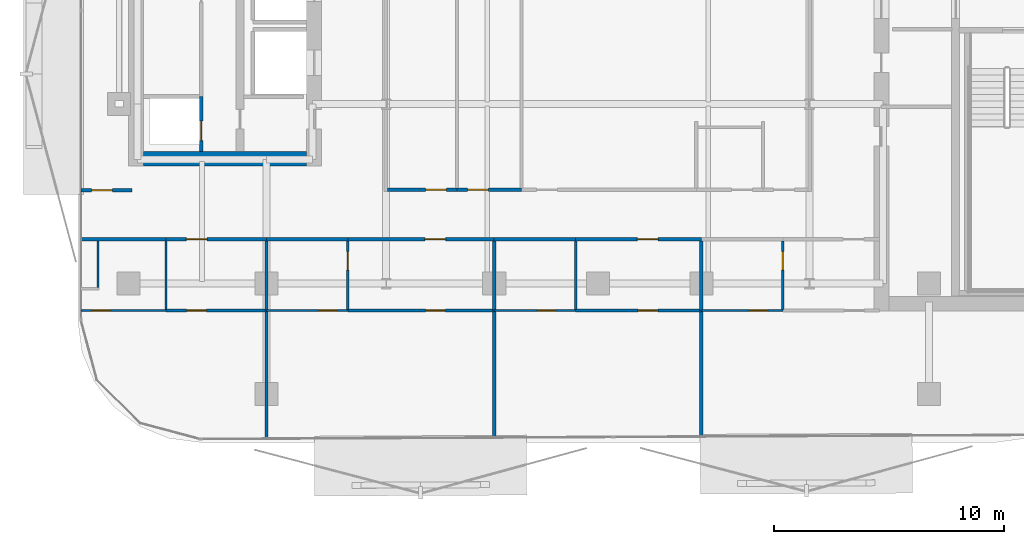
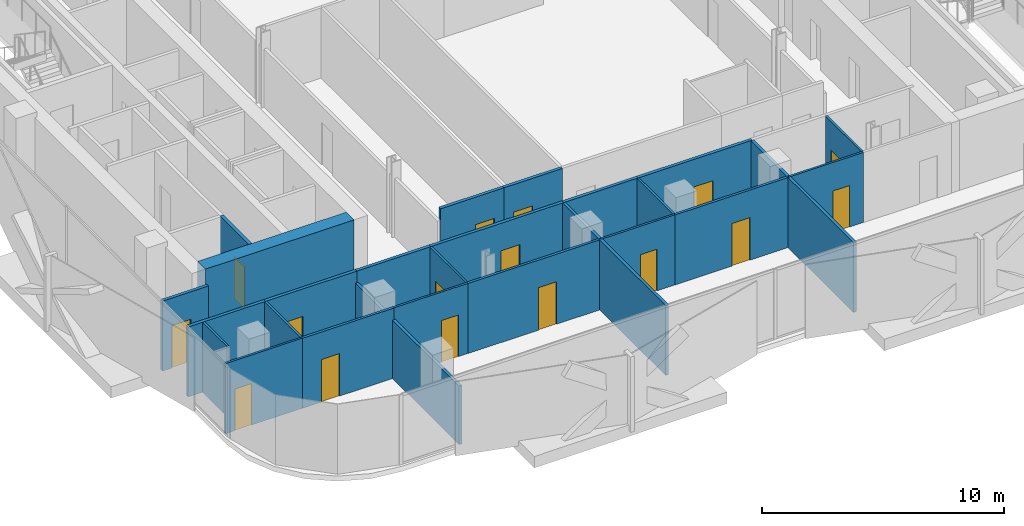
# One storey, part 3 of 17: 29 walls, 16 doors, 16 openings.
"""IFC4 building model written with IfcOpenShell, lengths in metres."""

from ifc_helpers import new_model, si_unit, direction, frame, frame_2d, origin, place, context, subcontext, project, spatial, rectangle, extrude, material, layer, layer_set, type_object, element, fill, save


model = new_model("IFC4")

# Units and contexts
model_context = context("Model", 3, precision=1e-05, world=origin(), true_north=direction((0.0, 1.0)))
body_context = subcontext(model_context, "Body", "Model", "MODEL_VIEW")
ifc_project = project(units=[si_unit("LENGTHUNIT", "METRE"), si_unit("AREAUNIT", "SQUARE_METRE"), si_unit("VOLUMEUNIT", "CUBIC_METRE"), si_unit("PLANEANGLEUNIT", "RADIAN"), si_unit("MASSUNIT", "GRAM", prefix="KILO")], contexts=[model_context])

# Site, building, storey
site_placement = place(None, origin())
site = spatial("IfcSite", under=ifc_project, at=site_placement, CompositionType="ELEMENT")
building_placement = place(site_placement, origin())
building = spatial("IfcBuilding", under=site, at=building_placement, Name="Khairoan Windgate Tower", CompositionType="ELEMENT")
storey_placement = place(building_placement, frame((0.0, 0.0, 176.39990234375)))
storey = spatial("IfcBuildingStorey", under=building, at=storey_placement, Name="L40", CompositionType="ELEMENT", Elevation=176.39990234375)

# Wall
ifc_material_1 = material(Name="Moisture-Resistant Gypsum Partition", Category="gypsum")
ifc_layer_1 = layer(ifc_material_1, 0.10009765625, Name="Moisture-Resistant Gypsum Partition")
ifc_layer_set_1 = layer_set([ifc_layer_1], Name="Moisture-Resistant Gypsum Partition")
wall_type_1 = type_object("IfcWallType", Name="Bathroom Wet-Area Partition Wall", PredefinedType="PARTITIONING", material=ifc_layer_set_1)
wall_1_placement = place(storey_placement, frame((-18.763916015625, -19.719970703125, 0.0), z_axis=(0.0, 0.0, 1.0), x_axis=(0.0, 1.0, 0.0)))
element("IfcWall", 1, at=wall_1_placement, inside=storey, type_object=wall_type_1, Name="L40 Interior Partition 075", PredefinedType="PARTITIONING", context=body_context, shape_type="SweptSolid", body=[
    extrude(rectangle(XDim=2.965087890625, YDim=0.10009765625, at=frame_2d((1.482421875, 0.0))), origin(), (0.0, 0.0, 1.0), 3.5400390625),
])

# Wall, opening, door
wall_2_placement = place(storey_placement, frame((-22.455078125, -19.77001953125, 0.0), z_axis=(0.0, 0.0, 1.0), x_axis=(1.0, 0.0, 0.0)))
wall_2 = element("IfcWall", 2, at=wall_2_placement, inside=storey, type_object=wall_type_1, Name="L40 Interior Partition 076", PredefinedType="PARTITIONING", context=body_context, shape_type="SweptSolid", body=[
    extrude(rectangle(XDim=3.691162109375, YDim=0.10009765625, at=frame_2d((1.845703125, 0.0))), origin(), (0.0, 0.0, 1.0), 3.5400390625),
])
opening_1_placement = place(wall_2_placement, frame((0.4599609375, 0.0, 0.0)))
opening_1 = element("IfcOpeningElement", 3, at=opening_1_placement, cuts=wall_2, Name="Opening ID-BTH", PredefinedType="OPENING", context=body_context, shape_type="SweptSolid", body=[
    extrude(rectangle(XDim=0.800048828125, YDim=2.10009765625, at=frame_2d((0.39990234375, 1.050048828125))), frame((0.0, 0.06005859375, 0.0), z_axis=(0.0, -1.0, 0.0), x_axis=(1.0, 0.0, 0.0)), (0.0, 0.0, 1.0), 0.1201171875),
])
ifc_material_2 = material(Name="Teak Veneer Timber Leaf", Category="wood")
door_type_1 = type_object("IfcDoorType", Name="Internal Bathroom Door ID-BTH 800x2100", OperationType="NOTDEFINED", PredefinedType="DOOR", material=ifc_material_2)
door_1_placement = place(opening_1_placement, origin())
door_1 = element("IfcDoor", 4, at=door_1_placement, inside=storey, type_object=door_type_1, Name="L40 L40-54-L40-56 Door", OperationType="SINGLE_SWING_LEFT", OverallHeight=2.10009765625, OverallWidth=0.800048828125, PredefinedType="DOOR", context=body_context, shape_type="SweptSolid", body=[
    extrude(rectangle(XDim=0.800048828125, YDim=2.10009765625, at=frame_2d((0.39990234375, 1.050048828125))), frame((0.0, 0.02490234375, 0.0), z_axis=(0.0, -1.0, 0.0), x_axis=(1.0, 0.0, 0.0)), (0.0, 0.0, 1.0), 0.050048828125),
])
fill(opening_1, door_1)

wall_3_placement = place(storey_placement, frame((-10.860107421875, -19.719970703125, 0.0), z_axis=(0.0, 0.0, 1.0), x_axis=(0.0, 1.0, 0.0)))
wall_3 = element("IfcWall", 5, at=wall_3_placement, inside=storey, type_object=wall_type_1, Name="L40 Interior Partition 080", PredefinedType="PARTITIONING", context=body_context, shape_type="SweptSolid", body=[
    extrude(rectangle(XDim=2.965087890625, YDim=0.10009765625, at=frame_2d((1.482421875, 0.0))), origin(), (0.0, 0.0, 1.0), 3.5400390625),
])
opening_2_placement = place(wall_3_placement, frame((1.705078125, 0.0, 0.0)))
opening_2 = element("IfcOpeningElement", 6, at=opening_2_placement, cuts=wall_3, Name="Opening ID-BTH", PredefinedType="OPENING", context=body_context, shape_type="SweptSolid", body=[
    extrude(rectangle(XDim=0.800048828125, YDim=2.10009765625, at=frame_2d((0.39990234375, 1.050048828125))), frame((0.0, 0.06005859375, 0.0), z_axis=(0.0, -1.0, 0.0), x_axis=(1.0, 0.0, 0.0)), (0.0, 0.0, 1.0), 0.1201171875),
])
door_2_placement = place(opening_2_placement, origin())
door_2 = element("IfcDoor", 7, at=door_2_placement, inside=storey, type_object=door_type_1, Name="L40 L40-57-L40-58 Door", OperationType="SINGLE_SWING_LEFT", OverallHeight=2.10009765625, OverallWidth=0.800048828125, PredefinedType="DOOR", context=body_context, shape_type="SweptSolid", body=[
    extrude(rectangle(XDim=0.800048828125, YDim=2.10009765625, at=frame_2d((0.39990234375, 1.050048828125))), frame((0.0, 0.02490234375, 0.0), z_axis=(0.0, -1.0, 0.0), x_axis=(1.0, 0.0, 0.0)), (0.0, 0.0, 1.0), 0.050048828125),
])
fill(opening_2, door_2)

wall_4_placement = place(storey_placement, frame((-14.39990234375, -19.77001953125, 0.0), z_axis=(0.0, 0.0, 1.0), x_axis=(1.0, 0.0, 0.0)))
wall_4 = element("IfcWall", 8, at=wall_4_placement, inside=storey, type_object=wall_type_1, Name="L40 Interior Partition 081", PredefinedType="PARTITIONING", context=body_context, shape_type="SweptSolid", body=[
    extrude(rectangle(XDim=3.539794921875, YDim=0.10009765625, at=frame_2d((1.77001953125, 0.0))), origin(), (0.0, 0.0, 1.0), 3.5400390625),
])
opening_3_placement = place(wall_4_placement, frame((2.280029296875, 0.0, 0.0)))
opening_3 = element("IfcOpeningElement", 9, at=opening_3_placement, cuts=wall_4, Name="Opening ID-BTH", PredefinedType="OPENING", context=body_context, shape_type="SweptSolid", body=[
    extrude(rectangle(XDim=0.800048828125, YDim=2.10009765625, at=frame_2d((0.39990234375, 1.050048828125))), frame((0.0, 0.06005859375, 0.0), z_axis=(0.0, -1.0, 0.0), x_axis=(1.0, 0.0, 0.0)), (0.0, 0.0, 1.0), 0.1201171875),
])
door_3_placement = place(opening_3_placement, origin())
door_3 = element("IfcDoor", 10, at=door_3_placement, inside=storey, type_object=door_type_1, Name="L40 L40-57-L40-59 Door", OperationType="SINGLE_SWING_RIGHT", OverallHeight=2.10009765625, OverallWidth=0.800048828125, PredefinedType="DOOR", context=body_context, shape_type="SweptSolid", body=[
    extrude(rectangle(XDim=0.800048828125, YDim=2.10009765625, at=frame_2d((0.39990234375, 1.050048828125))), frame((0.0, 0.02490234375, 0.0), z_axis=(0.0, -1.0, 0.0), x_axis=(1.0, 0.0, 0.0)), (0.0, 0.0, 1.0), 0.050048828125),
])
fill(opening_3, door_3)

# Wall
wall_5_placement = place(storey_placement, frame((-0.9599609375, -19.719970703125, 0.0), z_axis=(0.0, 0.0, 1.0), x_axis=(0.0, 1.0, 0.0)))
element("IfcWall", 11, at=wall_5_placement, inside=storey, type_object=wall_type_1, Name="L40 Interior Partition 085", PredefinedType="PARTITIONING", context=body_context, shape_type="SweptSolid", body=[
    extrude(rectangle(XDim=2.965087890625, YDim=0.10009765625, at=frame_2d((1.482421875, 0.0))), origin(), (0.0, 0.0, 1.0), 3.5400390625),
])

# Wall, opening, door
wall_6_placement = place(storey_placement, frame((-4.5, -19.77001953125, 0.0), z_axis=(0.0, 0.0, 1.0), x_axis=(1.0, 0.0, 0.0)))
wall_6 = element("IfcWall", 12, at=wall_6_placement, inside=storey, type_object=wall_type_1, Name="L40 Interior Partition 086", PredefinedType="PARTITIONING", context=body_context, shape_type="SweptSolid", body=[
    extrude(rectangle(XDim=3.5400390625, YDim=0.10009765625, at=frame_2d((1.77001953125, 0.0))), origin(), (0.0, 0.0, 1.0), 3.5400390625),
])
opening_4_placement = place(wall_6_placement, frame((1.87548828125, 0.0, 0.0)))
opening_4 = element("IfcOpeningElement", 13, at=opening_4_placement, cuts=wall_6, Name="Opening ID-BTH", PredefinedType="OPENING", context=body_context, shape_type="SweptSolid", body=[
    extrude(rectangle(XDim=0.800048828125, YDim=2.10009765625, at=frame_2d((0.39990234375, 1.050048828125))), frame((0.0, 0.06005859375, 0.0), z_axis=(0.0, -1.0, 0.0), x_axis=(1.0, 0.0, 0.0)), (0.0, 0.0, 1.0), 0.1201171875),
])
door_4_placement = place(opening_4_placement, origin())
door_4 = element("IfcDoor", 14, at=door_4_placement, inside=storey, type_object=door_type_1, Name="L40 L40-60-L40-62 Door", OperationType="SINGLE_SWING_LEFT", OverallHeight=2.10009765625, OverallWidth=0.800048828125, PredefinedType="DOOR", context=body_context, shape_type="SweptSolid", body=[
    extrude(rectangle(XDim=0.800048828125, YDim=2.10009765625, at=frame_2d((0.39990234375, 1.050048828125))), frame((0.0, 0.02490234375, 0.0), z_axis=(0.0, -1.0, 0.0), x_axis=(1.0, 0.0, 0.0)), (0.0, 0.0, 1.0), 0.050048828125),
])
fill(opening_4, door_4)

wall_7_placement = place(storey_placement, frame((8.0400390625, -19.719970703125, 0.0), z_axis=(0.0, 0.0, 1.0), x_axis=(0.0, 1.0, 0.0)))
wall_7 = element("IfcWall", 15, at=wall_7_placement, inside=storey, type_object=wall_type_1, Name="L40 Interior Partition 090", PredefinedType="PARTITIONING", context=body_context, shape_type="SweptSolid", body=[
    extrude(rectangle(XDim=2.965087890625, YDim=0.10009765625, at=frame_2d((1.482421875, 0.0))), origin(), (0.0, 0.0, 1.0), 3.5400390625),
])
opening_5_placement = place(wall_7_placement, frame((1.705078125, 0.0, 0.0)))
opening_5 = element("IfcOpeningElement", 16, at=opening_5_placement, cuts=wall_7, Name="Opening ID-BTH", PredefinedType="OPENING", context=body_context, shape_type="SweptSolid", body=[
    extrude(rectangle(XDim=0.800048828125, YDim=2.10009765625, at=frame_2d((0.39990234375, 1.050048828125))), frame((0.0, 0.06005859375, 0.0), z_axis=(0.0, -1.0, 0.0), x_axis=(1.0, 0.0, 0.0)), (0.0, 0.0, 1.0), 0.1201171875),
])
door_5_placement = place(opening_5_placement, origin())
door_5 = element("IfcDoor", 17, at=door_5_placement, inside=storey, type_object=door_type_1, Name="L40 L40-63-L40-64 Door", OperationType="SINGLE_SWING_LEFT", OverallHeight=2.10009765625, OverallWidth=0.800048828125, PredefinedType="DOOR", context=body_context, shape_type="SweptSolid", body=[
    extrude(rectangle(XDim=0.800048828125, YDim=2.10009765625, at=frame_2d((0.39990234375, 1.050048828125))), frame((0.0, 0.02490234375, 0.0), z_axis=(0.0, -1.0, 0.0), x_axis=(1.0, 0.0, 0.0)), (0.0, 0.0, 1.0), 0.050048828125),
])
fill(opening_5, door_5)

wall_8_placement = place(storey_placement, frame((4.5, -19.77001953125, 0.0), z_axis=(0.0, 0.0, 1.0), x_axis=(1.0, 0.0, 0.0)))
wall_8 = element("IfcWall", 18, at=wall_8_placement, inside=storey, type_object=wall_type_1, Name="L40 Interior Partition 091", PredefinedType="PARTITIONING", context=body_context, shape_type="SweptSolid", body=[
    extrude(rectangle(XDim=3.5400390625, YDim=0.10009765625, at=frame_2d((1.77001953125, 0.0))), origin(), (0.0, 0.0, 1.0), 3.5400390625),
])
opening_6_placement = place(wall_8_placement, frame((2.077880859375, 0.0, 0.0)))
opening_6 = element("IfcOpeningElement", 19, at=opening_6_placement, cuts=wall_8, Name="Opening ID-BTH", PredefinedType="OPENING", context=body_context, shape_type="SweptSolid", body=[
    extrude(rectangle(XDim=0.800048828125, YDim=2.10009765625, at=frame_2d((0.39990234375, 1.050048828125))), frame((0.0, 0.06005859375, 0.0), z_axis=(0.0, -1.0, 0.0), x_axis=(1.0, 0.0, 0.0)), (0.0, 0.0, 1.0), 0.1201171875),
])
door_6_placement = place(opening_6_placement, origin())
door_6 = element("IfcDoor", 20, at=door_6_placement, inside=storey, type_object=door_type_1, Name="L40 L40-63-L40-65 Door", OperationType="SINGLE_SWING_RIGHT", OverallHeight=2.10009765625, OverallWidth=0.800048828125, PredefinedType="DOOR", context=body_context, shape_type="SweptSolid", body=[
    extrude(rectangle(XDim=0.800048828125, YDim=2.10009765625, at=frame_2d((0.39990234375, 1.050048828125))), frame((0.0, 0.02490234375, 0.0), z_axis=(0.0, -1.0, 0.0), x_axis=(1.0, 0.0, 0.0)), (0.0, 0.0, 1.0), 0.050048828125),
])
fill(opening_6, door_6)

# Walls
wall_9_placement = place(storey_placement, frame((-21.719970703125, -18.77001953125, 0.0), z_axis=(0.0, 0.0, 1.0), x_axis=(0.0, 1.0, 0.0)))
element("IfcWall", 21, at=wall_9_placement, inside=storey, type_object=wall_type_1, Name="L40 Wet Room Side Wall 099", PredefinedType="PARTITIONING", context=body_context, shape_type="SweptSolid", body=[
    extrude(rectangle(XDim=2.01513671875, YDim=0.10009765625, at=frame_2d((1.007568359375, 0.0))), origin(), (0.0, 0.0, 1.0), 3.5400390625),
])
ifc_material_3 = material(Name="Acoustic Fire-Rated Gypsum Partition", Category="gypsum")
ifc_layer_2 = layer(ifc_material_3, 0.139892578125, Name="Acoustic Fire-Rated Gypsum Partition")
ifc_layer_set_2 = layer_set([ifc_layer_2], Name="Acoustic Fire-Rated Gypsum Partition")
wall_type_2 = type_object("IfcWallType", Name="Inter-Tenancy Compartment Wall", PredefinedType="PARTITIONING", material=ifc_layer_set_2)
wall_10_placement = place(storey_placement, frame((-14.39990234375, -19.77001953125, 0.0), z_axis=(0.0, 0.0, 1.0), x_axis=(0.0, 1.0, 0.0)))
element("IfcWall", 22, at=wall_10_placement, inside=storey, type_object=wall_type_2, Name="L40 Interior Partition 078", PredefinedType="PARTITIONING", context=body_context, shape_type="SweptSolid", body=[
    extrude(rectangle(XDim=3.01513671875, YDim=0.139892578125, at=frame_2d((1.507568359375, 0.0))), origin(), (0.0, 0.0, 1.0), 2.9521484375),
])
wall_11_placement = place(storey_placement, frame((-14.39990234375, -25.3408203125, 0.0), z_axis=(0.0, 0.0, 1.0), x_axis=(0.0, 1.0, 0.0)))
element("IfcWall", 23, at=wall_11_placement, inside=storey, type_object=wall_type_2, Name="L40 Interior Partition 079", PredefinedType="PARTITIONING", context=body_context, shape_type="SweptSolid", body=[
    extrude(rectangle(XDim=5.57080078125, YDim=0.139892578125, at=frame_2d((2.785400390625, 0.0))), origin(), (0.0, 0.0, 1.0), 2.9521484375),
])
wall_12_placement = place(storey_placement, frame((-4.5, -19.77001953125, 0.0), z_axis=(0.0, 0.0, 1.0), x_axis=(0.0, 1.0, 0.0)))
element("IfcWall", 24, at=wall_12_placement, inside=storey, type_object=wall_type_2, Name="L40 Interior Partition 083", PredefinedType="PARTITIONING", context=body_context, shape_type="SweptSolid", body=[
    extrude(rectangle(XDim=3.01513671875, YDim=0.139892578125, at=frame_2d((1.507568359375, 0.0))), origin(), (0.0, 0.0, 1.0), 3.5400390625),
])
wall_13_placement = place(storey_placement, frame((-4.5, -25.2919921875, 0.0), z_axis=(0.0, 0.0, 1.0), x_axis=(0.0, 1.0, 0.0)))
element("IfcWall", 25, at=wall_13_placement, inside=storey, type_object=wall_type_2, Name="L40 Interior Partition 084", PredefinedType="PARTITIONING", context=body_context, shape_type="SweptSolid", body=[
    extrude(rectangle(XDim=5.52197265625, YDim=0.139892578125, at=frame_2d((2.760986328125, 0.0))), origin(), (0.0, 0.0, 1.0), 3.5400390625),
])
wall_14_placement = place(storey_placement, frame((4.5, -19.77001953125, 0.0), z_axis=(0.0, 0.0, 1.0), x_axis=(0.0, 1.0, 0.0)))
element("IfcWall", 26, at=wall_14_placement, inside=storey, type_object=wall_type_2, Name="L40 Interior Partition 088", PredefinedType="PARTITIONING", context=body_context, shape_type="SweptSolid", body=[
    extrude(rectangle(XDim=3.01513671875, YDim=0.139892578125, at=frame_2d((1.507568359375, 0.0))), origin(), (0.0, 0.0, 1.0), 3.5400390625),
])
wall_15_placement = place(storey_placement, frame((4.5, -25.24755859375, 0.0), z_axis=(0.0, 0.0, 1.0), x_axis=(0.0, 1.0, 0.0)))
element("IfcWall", 27, at=wall_15_placement, inside=storey, type_object=wall_type_2, Name="L40 Interior Partition 089", PredefinedType="PARTITIONING", context=body_context, shape_type="SweptSolid", body=[
    extrude(rectangle(XDim=5.4775390625, YDim=0.139892578125, at=frame_2d((2.73876953125, 0.0))), origin(), (0.0, 0.0, 1.0), 3.5400390625),
])

# Wall, opening, door
ifc_material_4 = material(Name="Gypsum Stud Partition", Category="gypsum")
ifc_layer_3 = layer(ifc_material_4, 0.1201171875, Name="Gypsum Stud Partition")
ifc_layer_set_3 = layer_set([ifc_layer_3], Name="Gypsum Stud Partition")
wall_type_3 = type_object("IfcWallType", Name="Internal Room Partition Wall", PredefinedType="PARTITIONING", material=ifc_layer_set_3)
wall_16_placement = place(storey_placement, frame((-18.763916015625, -19.77001953125, 0.0), z_axis=(0.0, 0.0, 1.0), x_axis=(1.0, 0.0, 0.0)))
wall_16 = element("IfcWall", 28, at=wall_16_placement, inside=storey, type_object=wall_type_3, Name="L40 Interior Partition 077", PredefinedType="PARTITIONING", context=body_context, shape_type="SweptSolid", body=[
    extrude(rectangle(XDim=4.364013671875, YDim=0.1201171875, at=frame_2d((2.18212890625, 0.0))), origin(), (0.0, 0.0, 1.0), 3.5400390625),
])
opening_7_placement = place(wall_16_placement, frame((0.890625, 0.0, 0.0)))
opening_7 = element("IfcOpeningElement", 29, at=opening_7_placement, cuts=wall_16, Name="Opening ID-RM", PredefinedType="OPENING", context=body_context, shape_type="SweptSolid", body=[
    extrude(rectangle(XDim=0.860107421875, YDim=2.14990234375, at=frame_2d((0.43017578125, 1.074951171875))), frame((0.0, 0.070068359375, 0.0), z_axis=(0.0, -1.0, 0.0), x_axis=(1.0, 0.0, 0.0)), (0.0, 0.0, 1.0), 0.14013671875),
])
ifc_material_5 = material(Name="Teak Veneer Timber Leaf", Category="wood")
door_type_2 = type_object("IfcDoorType", Name="Internal Bedroom and Office Door ID-RM 860x2150", OperationType="NOTDEFINED", PredefinedType="DOOR", material=ifc_material_5)
door_7_placement = place(opening_7_placement, origin())
door_7 = element("IfcDoor", 30, at=door_7_placement, inside=storey, type_object=door_type_2, Name="L40 L40-55-L40-56 Door", OperationType="SINGLE_SWING_RIGHT", OverallHeight=2.14990234375, OverallWidth=0.860107421875, PredefinedType="DOOR", context=body_context, shape_type="SweptSolid", body=[
    extrude(rectangle(XDim=0.860107421875, YDim=2.14990234375, at=frame_2d((0.43017578125, 1.074951171875))), frame((0.0, 0.02490234375, 0.0), z_axis=(0.0, -1.0, 0.0), x_axis=(1.0, 0.0, 0.0)), (0.0, 0.0, 1.0), 0.050048828125),
])
fill(opening_7, door_7)

wall_17_placement = place(storey_placement, frame((-10.860107421875, -19.77001953125, 0.0), z_axis=(0.0, 0.0, 1.0), x_axis=(1.0, 0.0, 0.0)))
wall_17 = element("IfcWall", 31, at=wall_17_placement, inside=storey, type_object=wall_type_3, Name="L40 Interior Partition 082", PredefinedType="PARTITIONING", context=body_context, shape_type="SweptSolid", body=[
    extrude(rectangle(XDim=6.360107421875, YDim=0.1201171875, at=frame_2d((3.18017578125, 0.0))), origin(), (0.0, 0.0, 1.0), 3.5400390625),
])
opening_8_placement = place(wall_17_placement, frame((3.37451171875, 0.0, 0.0)))
opening_8 = element("IfcOpeningElement", 32, at=opening_8_placement, cuts=wall_17, Name="Opening ID-RM", PredefinedType="OPENING", context=body_context, shape_type="SweptSolid", body=[
    extrude(rectangle(XDim=0.860107421875, YDim=2.14990234375, at=frame_2d((0.43017578125, 1.074951171875))), frame((0.0, 0.070068359375, 0.0), z_axis=(0.0, -1.0, 0.0), x_axis=(1.0, 0.0, 0.0)), (0.0, 0.0, 1.0), 0.14013671875),
])
door_8_placement = place(opening_8_placement, origin())
door_8 = element("IfcDoor", 33, at=door_8_placement, inside=storey, type_object=door_type_2, Name="L40 L40-58-L40-59 Door", OperationType="SINGLE_SWING_LEFT", OverallHeight=2.14990234375, OverallWidth=0.860107421875, PredefinedType="DOOR", context=body_context, shape_type="SweptSolid", body=[
    extrude(rectangle(XDim=0.860107421875, YDim=2.14990234375, at=frame_2d((0.43017578125, 1.074951171875))), frame((0.0, 0.02490234375, 0.0), z_axis=(0.0, -1.0, 0.0), x_axis=(1.0, 0.0, 0.0)), (0.0, 0.0, 1.0), 0.050048828125),
])
fill(opening_8, door_8)

wall_18_placement = place(storey_placement, frame((-0.9599609375, -19.77001953125, 0.0), z_axis=(0.0, 0.0, 1.0), x_axis=(1.0, 0.0, 0.0)))
wall_18 = element("IfcWall", 34, at=wall_18_placement, inside=storey, type_object=wall_type_3, Name="L40 Interior Partition 087", PredefinedType="PARTITIONING", context=body_context, shape_type="SweptSolid", body=[
    extrude(rectangle(XDim=5.4599609375, YDim=0.1201171875, at=frame_2d((2.72998046875, 0.0))), origin(), (0.0, 0.0, 1.0), 3.5400390625),
])
opening_9_placement = place(wall_18_placement, frame((2.708984375, 0.0, 0.0)))
opening_9 = element("IfcOpeningElement", 35, at=opening_9_placement, cuts=wall_18, Name="Opening ID-RM", PredefinedType="OPENING", context=body_context, shape_type="SweptSolid", body=[
    extrude(rectangle(XDim=0.860107421875, YDim=2.14990234375, at=frame_2d((0.43017578125, 1.074951171875))), frame((0.0, 0.070068359375, 0.0), z_axis=(0.0, -1.0, 0.0), x_axis=(1.0, 0.0, 0.0)), (0.0, 0.0, 1.0), 0.14013671875),
])
door_9_placement = place(opening_9_placement, origin())
door_9 = element("IfcDoor", 36, at=door_9_placement, inside=storey, type_object=door_type_2, Name="L40 L40-61-L40-62 Door", OperationType="SINGLE_SWING_RIGHT", OverallHeight=2.14990234375, OverallWidth=0.860107421875, PredefinedType="DOOR", context=body_context, shape_type="SweptSolid", body=[
    extrude(rectangle(XDim=0.860107421875, YDim=2.14990234375, at=frame_2d((0.43017578125, 1.074951171875))), frame((0.0, 0.02490234375, 0.0), z_axis=(0.0, -1.0, 0.0), x_axis=(1.0, 0.0, 0.0)), (0.0, 0.0, 1.0), 0.050048828125),
])
fill(opening_9, door_9)

ifc_material_6 = material(Name="Concrete C40/50", Category="concrete")
ifc_layer_4 = layer(ifc_material_6, 0.159912109375, Name="Concrete C40/50")
ifc_layer_set_4 = layer_set([ifc_layer_4], Name="Concrete C40/50")
wall_type_4 = type_object("IfcWallType", Name="Plant and Refuge Compartment Wall", PredefinedType="PARTITIONING", material=ifc_layer_set_4)
wall_19_placement = place(storey_placement, frame((-17.22998046875, -12.85009765625, 0.0), z_axis=(0.0, 0.0, 1.0), x_axis=(0.0, 1.0, 0.0)))
wall_19 = element("IfcWall", 37, at=wall_19_placement, inside=storey, type_object=wall_type_4, Name="L40 Interior Partition 001", PredefinedType="PARTITIONING", context=body_context, shape_type="SweptSolid", body=[
    extrude(rectangle(XDim=2.380126953125, YDim=0.159912109375, at=frame_2d((1.18994140625, 0.0))), origin(), (0.0, 0.0, 1.0), 3.5400390625),
])
opening_10_placement = place(wall_19_placement, frame((0.4599609375, 0.0, 0.0)))
opening_10 = element("IfcOpeningElement", 38, at=opening_10_placement, cuts=wall_19, Name="Opening FD-SRV", PredefinedType="OPENING", context=body_context, shape_type="SweptSolid", body=[
    extrude(rectangle(XDim=0.85009765625, YDim=2.10009765625, at=frame_2d((0.425048828125, 1.050048828125))), frame((0.0, 0.08984375, 0.0), z_axis=(0.0, -1.0, 0.0), x_axis=(1.0, 0.0, 0.0)), (0.0, 0.0, 1.0), 0.179931640625),
])
ifc_material_7 = material(Name="Steel S355", Category="steel")
door_type_3 = type_object("IfcDoorType", Name="Core Service and Riser Fire Door FD-SRV 850x2100", OperationType="NOTDEFINED", PredefinedType="DOOR", material=ifc_material_7)
door_10_placement = place(opening_10_placement, origin())
door_10 = element("IfcDoor", 39, at=door_10_placement, inside=storey, type_object=door_type_3, Name="L40 L40-04-L40-05 Door", OperationType="SINGLE_SWING_RIGHT", OverallHeight=2.10009765625, OverallWidth=0.85009765625, PredefinedType="DOOR", context=body_context, shape_type="SweptSolid", body=[
    extrude(rectangle(XDim=0.85009765625, YDim=2.10009765625, at=frame_2d((0.425048828125, 1.050048828125))), frame((0.0, 0.02490234375, 0.0), z_axis=(0.0, -1.0, 0.0), x_axis=(1.0, 0.0, 0.0)), (0.0, 0.0, 1.0), 0.050048828125),
])
fill(opening_10, door_10)

ifc_material_8 = material(Name="Acoustic Fire-Rated Gypsum Partition", Category="gypsum")
ifc_layer_5 = layer(ifc_material_8, 0.14990234375, Name="Acoustic Fire-Rated Gypsum Partition")
ifc_layer_set_5 = layer_set([ifc_layer_5], Name="Acoustic Fire-Rated Gypsum Partition")
wall_type_5 = type_object("IfcWallType", Name="Rated Corridor Partition Wall", PredefinedType="PARTITIONING", material=ifc_layer_set_5)
wall_20_placement = place(storey_placement, frame((-9.14501953125, -14.52001953125, 0.0), z_axis=(0.0, 0.0, 1.0), x_axis=(1.0, 0.0, 0.0)))
wall_20 = element("IfcWall", 40, at=wall_20_placement, inside=storey, type_object=wall_type_5, Name="L40 Interior Partition 030", PredefinedType="PARTITIONING", context=body_context, shape_type="SweptSolid", body=[
    extrude(rectangle(XDim=3.02490234375, YDim=0.14990234375, at=frame_2d((1.512451171875, 0.0))), origin(), (0.0, 0.0, 1.0), 3.5400390625),
])
opening_11_placement = place(wall_20_placement, frame((1.6650390625, 0.0, 0.0)))
opening_11 = element("IfcOpeningElement", 41, at=opening_11_placement, cuts=wall_20, Name="Opening FD-ENT", PredefinedType="OPENING", context=body_context, shape_type="SweptSolid", body=[
    extrude(rectangle(XDim=0.89990234375, YDim=2.14990234375, at=frame_2d((0.449951171875, 1.074951171875))), frame((0.0, 0.0849609375, 0.0), z_axis=(0.0, -1.0, 0.0), x_axis=(1.0, 0.0, 0.0)), (0.0, 0.0, 1.0), 0.169921875),
])
ifc_material_9 = material(Name="Timber Fire-Rated Core", Category="wood")
door_type_4 = type_object("IfcDoorType", Name="Unit and Office Fire Entrance Door FD-ENT 900x2150", OperationType="NOTDEFINED", PredefinedType="DOOR", material=ifc_material_9)
door_11_placement = place(opening_11_placement, origin())
door_11 = element("IfcDoor", 42, at=door_11_placement, inside=storey, type_object=door_type_4, Name="L40 L40-31-L40-32 Door", OperationType="SINGLE_SWING_LEFT", OverallHeight=2.14990234375, OverallWidth=0.89990234375, PredefinedType="DOOR", context=body_context, shape_type="SweptSolid", body=[
    extrude(rectangle(XDim=0.89990234375, YDim=2.14990234375, at=frame_2d((0.449951171875, 1.074951171875))), frame((0.0, 0.02490234375, 0.0), z_axis=(0.0, -1.0, 0.0), x_axis=(1.0, 0.0, 0.0)), (0.0, 0.0, 1.0), 0.050048828125),
])
fill(opening_11, door_11)

wall_21_placement = place(storey_placement, frame((-6.1201171875, -14.52001953125, 0.0), z_axis=(0.0, 0.0, 1.0), x_axis=(1.0, 0.0, 0.0)))
wall_21 = element("IfcWall", 43, at=wall_21_placement, inside=storey, type_object=wall_type_5, Name="L40 Interior Partition 031", PredefinedType="PARTITIONING", context=body_context, shape_type="SweptSolid", body=[
    extrude(rectangle(XDim=2.800048828125, YDim=0.14990234375, at=frame_2d((1.39990234375, 0.0))), origin(), (0.0, 0.0, 1.0), 3.5400390625),
])
opening_12_placement = place(wall_21_placement, frame((0.4599609375, 0.0, 0.0)))
opening_12 = element("IfcOpeningElement", 44, at=opening_12_placement, cuts=wall_21, Name="Opening FD-ENT", PredefinedType="OPENING", context=body_context, shape_type="SweptSolid", body=[
    extrude(rectangle(XDim=0.89990234375, YDim=2.14990234375, at=frame_2d((0.449951171875, 1.074951171875))), frame((0.0, 0.0849609375, 0.0), z_axis=(0.0, -1.0, 0.0), x_axis=(1.0, 0.0, 0.0)), (0.0, 0.0, 1.0), 0.169921875),
])
door_12_placement = place(opening_12_placement, origin())
door_12 = element("IfcDoor", 45, at=door_12_placement, inside=storey, type_object=door_type_4, Name="L40 L40-31-L40-33 Door", OperationType="SINGLE_SWING_RIGHT", OverallHeight=2.14990234375, OverallWidth=0.89990234375, PredefinedType="DOOR", context=body_context, shape_type="SweptSolid", body=[
    extrude(rectangle(XDim=0.89990234375, YDim=2.14990234375, at=frame_2d((0.449951171875, 1.074951171875))), frame((0.0, 0.02490234375, 0.0), z_axis=(0.0, -1.0, 0.0), x_axis=(1.0, 0.0, 0.0)), (0.0, 0.0, 1.0), 0.050048828125),
])
fill(opening_12, door_12)

# Wall
wall_22_placement = place(storey_placement, frame((-22.455078125, -16.679931640625, 0.0), z_axis=(0.0, 0.0, 1.0), x_axis=(1.0, 0.0, 0.0)))
element("IfcWall", 46, at=wall_22_placement, inside=storey, type_object=wall_type_5, Name="L40 Interior Partition 035", PredefinedType="PARTITIONING", context=body_context, shape_type="SweptSolid", body=[
    extrude(rectangle(XDim=3.691162109375, YDim=0.14990234375, at=frame_2d((1.845703125, 0.0))), origin(), (0.0, 0.0, 1.0), 3.5400390625),
])

# Wall, opening, door
wall_23_placement = place(storey_placement, frame((-18.763916015625, -16.679931640625, 0.0), z_axis=(0.0, 0.0, 1.0), x_axis=(1.0, 0.0, 0.0)))
wall_23 = element("IfcWall", 47, at=wall_23_placement, inside=storey, type_object=wall_type_5, Name="L40 Interior Partition 036", PredefinedType="PARTITIONING", context=body_context, shape_type="SweptSolid", body=[
    extrude(rectangle(XDim=4.364013671875, YDim=0.14990234375, at=frame_2d((2.18212890625, 0.0))), origin(), (0.0, 0.0, 1.0), 3.5400390625),
])
opening_13_placement = place(wall_23_placement, frame((0.884033203125, 0.0, 0.0)))
opening_13 = element("IfcOpeningElement", 48, at=opening_13_placement, cuts=wall_23, Name="Opening FD-ENT", PredefinedType="OPENING", context=body_context, shape_type="SweptSolid", body=[
    extrude(rectangle(XDim=0.89990234375, YDim=2.14990234375, at=frame_2d((0.449951171875, 1.074951171875))), frame((0.0, 0.0849609375, 0.0), z_axis=(0.0, -1.0, 0.0), x_axis=(1.0, 0.0, 0.0)), (0.0, 0.0, 1.0), 0.169921875),
])
door_13_placement = place(opening_13_placement, origin())
door_13 = element("IfcDoor", 49, at=door_13_placement, inside=storey, type_object=door_type_4, Name="L40 L40-31-L40-55 Door", OperationType="SINGLE_SWING_RIGHT", OverallHeight=2.14990234375, OverallWidth=0.89990234375, PredefinedType="DOOR", context=body_context, shape_type="SweptSolid", body=[
    extrude(rectangle(XDim=0.89990234375, YDim=2.14990234375, at=frame_2d((0.449951171875, 1.074951171875))), frame((0.0, 0.02490234375, 0.0), z_axis=(0.0, -1.0, 0.0), x_axis=(1.0, 0.0, 0.0)), (0.0, 0.0, 1.0), 0.050048828125),
])
fill(opening_13, door_13)

# Wall
wall_24_placement = place(storey_placement, frame((-14.39990234375, -16.679931640625, 0.0), z_axis=(0.0, 0.0, 1.0), x_axis=(1.0, 0.0, 0.0)))
element("IfcWall", 50, at=wall_24_placement, inside=storey, type_object=wall_type_5, Name="L40 Interior Partition 037", PredefinedType="PARTITIONING", context=body_context, shape_type="SweptSolid", body=[
    extrude(rectangle(XDim=3.539794921875, YDim=0.14990234375, at=frame_2d((1.77001953125, 0.0))), origin(), (0.0, 0.0, 1.0), 3.5400390625),
])

# Wall, opening, door
wall_25_placement = place(storey_placement, frame((-10.860107421875, -16.679931640625, 0.0), z_axis=(0.0, 0.0, 1.0), x_axis=(1.0, 0.0, 0.0)))
wall_25 = element("IfcWall", 51, at=wall_25_placement, inside=storey, type_object=wall_type_5, Name="L40 Interior Partition 038", PredefinedType="PARTITIONING", context=body_context, shape_type="SweptSolid", body=[
    extrude(rectangle(XDim=6.360107421875, YDim=0.14990234375, at=frame_2d((3.18017578125, 0.0))), origin(), (0.0, 0.0, 1.0), 3.5400390625),
])
opening_14_placement = place(wall_25_placement, frame((3.34912109375, 0.0, 0.0)))
opening_14 = element("IfcOpeningElement", 52, at=opening_14_placement, cuts=wall_25, Name="Opening FD-ENT", PredefinedType="OPENING", context=body_context, shape_type="SweptSolid", body=[
    extrude(rectangle(XDim=0.89990234375, YDim=2.14990234375, at=frame_2d((0.449951171875, 1.074951171875))), frame((0.0, 0.0849609375, 0.0), z_axis=(0.0, -1.0, 0.0), x_axis=(1.0, 0.0, 0.0)), (0.0, 0.0, 1.0), 0.169921875),
])
door_14_placement = place(opening_14_placement, origin())
door_14 = element("IfcDoor", 53, at=door_14_placement, inside=storey, type_object=door_type_4, Name="L40 L40-31-L40-58 Door", OperationType="SINGLE_SWING_LEFT", OverallHeight=2.14990234375, OverallWidth=0.89990234375, PredefinedType="DOOR", context=body_context, shape_type="SweptSolid", body=[
    extrude(rectangle(XDim=0.89990234375, YDim=2.14990234375, at=frame_2d((0.449951171875, 1.074951171875))), frame((0.0, 0.02490234375, 0.0), z_axis=(0.0, -1.0, 0.0), x_axis=(1.0, 0.0, 0.0)), (0.0, 0.0, 1.0), 0.050048828125),
])
fill(opening_14, door_14)

# Wall
wall_26_placement = place(storey_placement, frame((-4.5, -16.679931640625, 0.0), z_axis=(0.0, 0.0, 1.0), x_axis=(1.0, 0.0, 0.0)))
element("IfcWall", 54, at=wall_26_placement, inside=storey, type_object=wall_type_5, Name="L40 Interior Partition 039", PredefinedType="PARTITIONING", context=body_context, shape_type="SweptSolid", body=[
    extrude(rectangle(XDim=3.5400390625, YDim=0.14990234375, at=frame_2d((1.77001953125, 0.0))), origin(), (0.0, 0.0, 1.0), 3.5400390625),
])

# Wall, opening, door
wall_27_placement = place(storey_placement, frame((-0.9599609375, -16.679931640625, 0.0), z_axis=(0.0, 0.0, 1.0), x_axis=(1.0, 0.0, 0.0)))
wall_27 = element("IfcWall", 55, at=wall_27_placement, inside=storey, type_object=wall_type_5, Name="L40 Interior Partition 040", PredefinedType="PARTITIONING", context=body_context, shape_type="SweptSolid", body=[
    extrude(rectangle(XDim=5.4599609375, YDim=0.14990234375, at=frame_2d((2.72998046875, 0.0))), origin(), (0.0, 0.0, 1.0), 3.5400390625),
])
opening_15_placement = place(wall_27_placement, frame((2.684326171875, 0.0, 0.0)))
opening_15 = element("IfcOpeningElement", 56, at=opening_15_placement, cuts=wall_27, Name="Opening FD-ENT", PredefinedType="OPENING", context=body_context, shape_type="SweptSolid", body=[
    extrude(rectangle(XDim=0.89990234375, YDim=2.14990234375, at=frame_2d((0.449951171875, 1.074951171875))), frame((0.0, 0.0849609375, 0.0), z_axis=(0.0, -1.0, 0.0), x_axis=(1.0, 0.0, 0.0)), (0.0, 0.0, 1.0), 0.169921875),
])
door_15_placement = place(opening_15_placement, origin())
door_15 = element("IfcDoor", 57, at=door_15_placement, inside=storey, type_object=door_type_4, Name="L40 L40-31-L40-61 Door", OperationType="SINGLE_SWING_RIGHT", OverallHeight=2.14990234375, OverallWidth=0.89990234375, PredefinedType="DOOR", context=body_context, shape_type="SweptSolid", body=[
    extrude(rectangle(XDim=0.89990234375, YDim=2.14990234375, at=frame_2d((0.449951171875, 1.074951171875))), frame((0.0, 0.02490234375, 0.0), z_axis=(0.0, -1.0, 0.0), x_axis=(1.0, 0.0, 0.0)), (0.0, 0.0, 1.0), 0.050048828125),
])
fill(opening_15, door_15)

wall_28_placement = place(storey_placement, frame((-22.455078125, -14.5400390625, 0.0), z_axis=(0.0, 0.0, 1.0), x_axis=(1.0, 0.0, 0.0)))
wall_28 = element("IfcWall", 58, at=wall_28_placement, inside=storey, type_object=wall_type_5, Name="L40 Interior Partition 043", PredefinedType="PARTITIONING", context=body_context, shape_type="SweptSolid", body=[
    extrude(rectangle(XDim=2.215087890625, YDim=0.14990234375, at=frame_2d((1.107421875, 0.0))), origin(), (0.0, 0.0, 1.0), 3.5400390625),
])
opening_16_placement = place(wall_28_placement, frame((0.4599609375, 0.0, 0.0)))
opening_16 = element("IfcOpeningElement", 59, at=opening_16_placement, cuts=wall_28, Name="Opening FD-ENT", PredefinedType="OPENING", context=body_context, shape_type="SweptSolid", body=[
    extrude(rectangle(XDim=0.89990234375, YDim=2.14990234375, at=frame_2d((0.449951171875, 1.074951171875))), frame((0.0, 0.0849609375, 0.0), z_axis=(0.0, -1.0, 0.0), x_axis=(1.0, 0.0, 0.0)), (0.0, 0.0, 1.0), 0.169921875),
])
door_16_placement = place(opening_16_placement, origin())
door_16 = element("IfcDoor", 60, at=door_16_placement, inside=storey, type_object=door_type_4, Name="L40 L40-31-L40-67 Door", OperationType="SINGLE_SWING_RIGHT", OverallHeight=2.14990234375, OverallWidth=0.89990234375, PredefinedType="DOOR", context=body_context, shape_type="SweptSolid", body=[
    extrude(rectangle(XDim=0.89990234375, YDim=2.14990234375, at=frame_2d((0.449951171875, 1.074951171875))), frame((0.0, 0.02490234375, 0.0), z_axis=(0.0, -1.0, 0.0), x_axis=(1.0, 0.0, 0.0)), (0.0, 0.0, 1.0), 0.050048828125),
])
fill(opening_16, door_16)

# Wall
ifc_material_10 = material(Name="Concrete C60/75", Category="concrete")
ifc_layer_6 = layer(ifc_material_10, 0.64990234375, Name="Concrete C60/75")
ifc_layer_set_6 = layer_set([ifc_layer_6], Name="Concrete C60/75")
wall_type_6 = type_object("IfcWallType", Name="Shear Wall CW-W2 650mm", PredefinedType="SHEAR", material=ifc_layer_set_6)
wall_29_placement = place(storey_placement, frame((-19.75, -13.175048828125, 0.0), z_axis=(0.0, 0.0, 1.0), x_axis=(1.0, 0.0, 0.0)))
element("IfcWall", 61, at=wall_29_placement, inside=storey, type_object=wall_type_6, Name="W Core South Shear Wall L40", PredefinedType="SHEAR", context=body_context, shape_type="SweptSolid", body=[
    extrude(rectangle(XDim=7.10009765625, YDim=0.64990234375, at=frame_2d((3.550048828125, 0.0))), origin(), (0.0, 0.0, 1.0), 3.5400390625),
])

save(model, "model.ifc")
